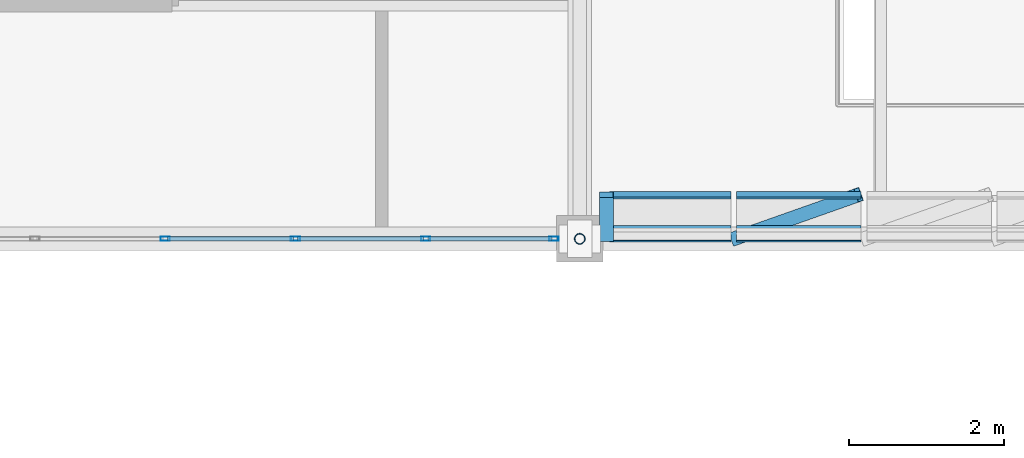
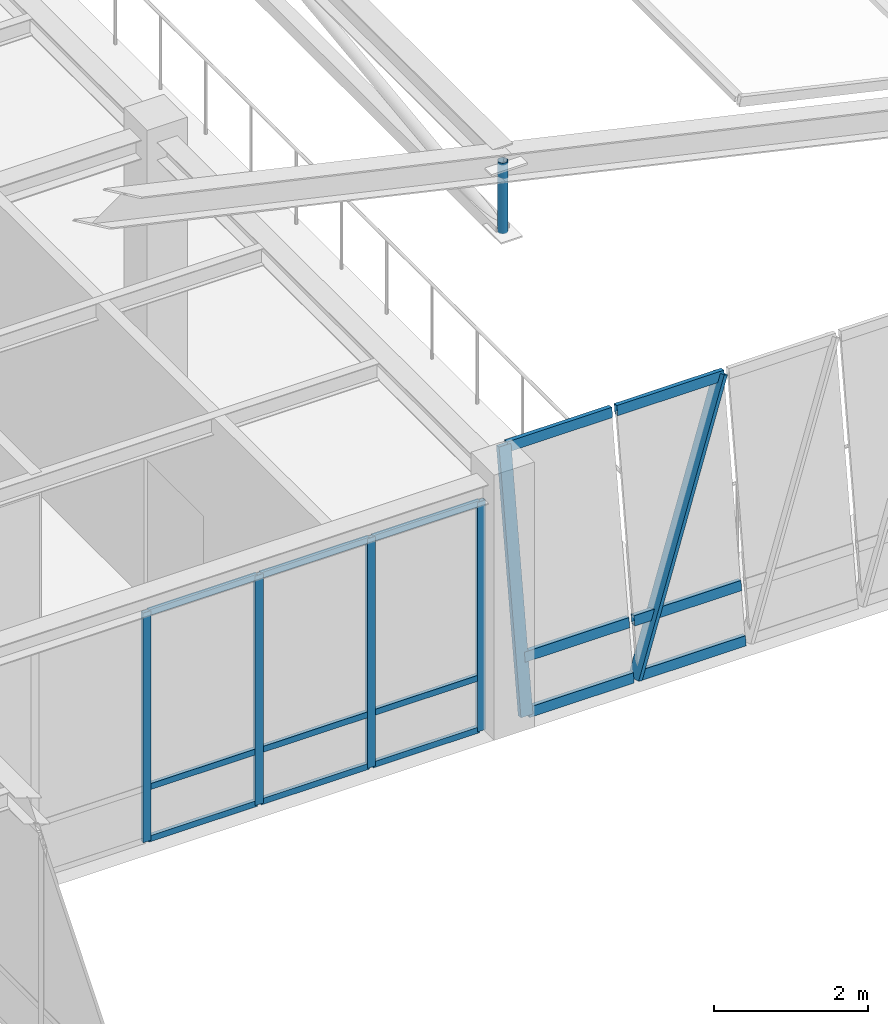
# One storey, part 39 of 130: 22 members, 2 elements without a shape of their own.
"""IFC4 building model written with IfcOpenShell, lengths in metres."""

import ifcopenshell
import ifcopenshell.guid

model = None  # the IFC model being written
_history = None  # IfcOwnerHistory: only IFC2X3 demands one
_inside = {}  # id of a spatial element -> (the spatial element, [elements in it])
_under = {}  # id of a project, library or spatial element -> (it, [spatial elements below it])
_declared = {}  # id of a project -> (the project, [libraries it declares])
_typed = {}  # id of a type object -> (the type object, [elements of that type])
_made_of = {}  # id of a material, layer set ... -> (it, [elements and type objects made of it])


def new_model(schema):
    """Start an empty IFC model of exactly this schema.

    Asked for "IFC4X3", IfcOpenShell would pick the latest addendum, in which some entities
    have other attributes; the version numbers below select the first issue.
    IFC2X3 requires an IfcOwnerHistory on every rooted entity: one is made here for all.
    """
    global model, _history
    if schema == "IFC4X3":
        model = ifcopenshell.file(schema_version=(4, 3, 0, 0))
    else:
        model = ifcopenshell.file(schema=schema)
    _inside.clear()
    _under.clear()
    _declared.clear()
    _typed.clear()
    _made_of.clear()
    _history = None
    if model.schema == "IFC2X3":
        org = make("IfcOrganization", Name="unknown")
        user = make(
            "IfcPersonAndOrganization",
            ThePerson=make("IfcPerson", FamilyName="unknown"),
            TheOrganization=org,
        )
        app = make(
            "IfcApplication",
            ApplicationDeveloper=org,
            Version="unknown",
            ApplicationFullName="unknown",
            ApplicationIdentifier="unknown",
        )
        _history = make(
            "IfcOwnerHistory",
            OwningUser=user,
            OwningApplication=app,
            ChangeAction="ADDED",
            CreationDate=0,
        )
    return model


def make(cls, **values):
    """One entity of the class cls with the attributes given. An attribute that is None is left unset."""
    return model.create_entity(
        cls, **{name: value for name, value in values.items() if value is not None}
    )


def rooted(cls, **values):
    """An entity with a GlobalId (a new one), such as an element, a storey or a relation."""
    return make(cls, GlobalId=ifcopenshell.guid.new(), OwnerHistory=_history, **values)


def si_unit(unit_type, name, prefix=None):
    """IfcSIUnit, for example si_unit("LENGTHUNIT", "METRE", prefix="MILLI")."""
    return make("IfcSIUnit", UnitType=unit_type, Prefix=prefix, Name=name)


def assignment(units):
    """IfcUnitAssignment: the units of a project."""
    return None if units is None else make("IfcUnitAssignment", Units=units)


def point(xyz):
    """IfcCartesianPoint."""
    return None if xyz is None else make("IfcCartesianPoint", Coordinates=xyz)


def direction(xyz):
    """IfcDirection."""
    return None if xyz is None else make("IfcDirection", DirectionRatios=xyz)


def frame(location, z_axis=None, x_axis=None):
    """IfcAxis2Placement3D, a coordinate frame: its origin and axes. An axis left out is left unset."""
    return make(
        "IfcAxis2Placement3D",
        Location=point(location),
        Axis=direction(z_axis),
        RefDirection=direction(x_axis),
    )


def frame_2d(location, x_axis=None):
    """IfcAxis2Placement2D, a coordinate frame in the plane: its origin and x axis."""
    return make(
        "IfcAxis2Placement2D", Location=point(location), RefDirection=direction(x_axis)
    )


def origin():
    """The frame at (0, 0, 0) with its axes left unset."""
    return frame((0.0, 0.0, 0.0))


def origin_2d():
    """The frame at (0, 0) in the plane with its x axis left unset."""
    return frame_2d((0.0, 0.0))


def place(relative_to, where):
    """IfcLocalPlacement: puts the frame where relative to a parent placement (None: the world)."""
    return make(
        "IfcLocalPlacement", PlacementRelTo=relative_to, RelativePlacement=where
    )


def context(
    kind, dimensions, precision=None, world=None, true_north=None, identifier=None
):
    """IfcGeometricRepresentationContext, for example the 3D "Model" context."""
    return make(
        "IfcGeometricRepresentationContext",
        ContextIdentifier=identifier,
        ContextType=kind,
        CoordinateSpaceDimension=dimensions,
        Precision=precision,
        WorldCoordinateSystem=world,
        TrueNorth=true_north,
    )


def subcontext(parent, identifier, kind, view, scale=None):
    """IfcGeometricRepresentationSubContext, for example "Body" below "Model"."""
    return make(
        "IfcGeometricRepresentationSubContext",
        ContextIdentifier=identifier,
        ContextType=kind,
        ParentContext=parent,
        TargetScale=scale,
        TargetView=view,
    )


def project(units=None, contexts=None):
    """IfcProject with its units and contexts."""
    return rooted(
        "IfcProject",
        Name="project",
        RepresentationContexts=contexts,
        UnitsInContext=assignment(units),
    )


def spatial(cls, under=None, at=None, **own):
    """A site, building, storey or space (cls), placed at a placement, below another one or the project."""
    s = rooted(cls, ObjectPlacement=at, **own)
    if under is not None:
        _under.setdefault(under.id(), (under, []))[1].append(s)
    return s


def profile(cls, at=None, kind="AREA", **sizes):
    """A parametric profile (cls). Its sizes go by their IFC names, for example OverallWidth=200.0."""
    return make(cls, ProfileType=kind, Position=at, **sizes)


def hollow_rectangle(**sizes):
    """IfcRectangleHollowProfileDef."""
    return profile("IfcRectangleHollowProfileDef", **sizes)


def hollow_circle(**sizes):
    """IfcCircleHollowProfileDef."""
    return profile("IfcCircleHollowProfileDef", **sizes)


def extrude(swept, where, along, depth):
    """IfcExtrudedAreaSolid: the profile swept, set in the frame where, extruded along a direction by depth."""
    return make(
        "IfcExtrudedAreaSolid",
        SweptArea=swept,
        Position=where,
        ExtrudedDirection=direction(along),
        Depth=depth,
    )


def shape(context_of_items, identifier, shape_type, items):
    """IfcShapeRepresentation: the items that make up one representation, for example the "Body"."""
    return make(
        "IfcShapeRepresentation",
        ContextOfItems=context_of_items,
        RepresentationIdentifier=identifier,
        RepresentationType=shape_type,
        Items=items,
    )


def material(Name=None, Category=None):
    """IfcMaterial."""
    return make("IfcMaterial", Name=Name, Category=Category)


def material_profile(
    of_material, cross_section, Name=None, Category=None, Priority=None
):
    """IfcMaterialProfile: a cross section and its material."""
    return make(
        "IfcMaterialProfile",
        Name=Name,
        Material=of_material,
        Profile=cross_section,
        Priority=Priority,
        Category=Category,
    )


def profile_set(profiles, Name=None, composite=None):
    """IfcMaterialProfileSet."""
    return make(
        "IfcMaterialProfileSet",
        Name=Name,
        MaterialProfiles=profiles,
        CompositeProfile=composite,
    )


def made_of(thing, what):
    """Note that an element or type object is made of a material, layer set ...; save() writes the relation."""
    if what is not None:
        _made_of.setdefault(what.id(), (what, []))[1].append(thing)
    return thing


def type_object(cls, material=None, **own):
    """A type object (cls), such as IfcWallType, which elements share."""
    return made_of(rooted(cls, **own), material)


def element(
    cls,
    number,
    at=None,
    inside=None,
    cuts=None,
    type_object=None,
    material=None,
    context=None,
    identifier="Body",
    shape_type=None,
    held_by="IfcProductDefinitionShape",
    body=None,
    shapes=None,
    **own,
):
    """One element of the class cls, such as IfcWall. Its Tag is "e" and its number.

    at: its placement. inside: the storey or other place that contains it. cuts: it is an
    opening in that element (IfcRelVoidsElement). A single representation is given by context,
    identifier, shape_type and body (its items); several are given by shapes. held_by: the class
    of the entity that holds the representations. save() writes the other relations.
    """
    e = rooted(cls, Tag="e%d" % number, ObjectPlacement=at, **own)
    if body is not None:
        shapes = [shape(context, identifier, shape_type, body)]
    if shapes is not None:
        e.Representation = make(held_by, Representations=shapes)
    if inside is not None:
        _inside.setdefault(inside.id(), (inside, []))[1].append(e)
    if cuts is not None:
        rooted(
            "IfcRelVoidsElement", RelatingBuildingElement=cuts, RelatedOpeningElement=e
        )
    if type_object is not None:
        _typed.setdefault(type_object.id(), (type_object, []))[1].append(e)
    return made_of(e, material)


def aggregate(whole, parts):
    """IfcRelAggregates: a whole, such as a stair, and the parts it consists of."""
    return rooted("IfcRelAggregates", RelatingObject=whole, RelatedObjects=parts)


def save(model, path):
    """Write the relations noted so far, then the file.

    IfcRelAggregates (storeys below a building ...), IfcRelContainedInSpatialStructure (elements
    in a storey), IfcRelDefinesByType, IfcRelAssociatesMaterial and IfcRelDeclares: one each for
    every whole, place, type object, material and project.
    """
    for whole, parts in _under.values():
        aggregate(whole, parts)
    for where, things in _inside.values():
        rooted(
            "IfcRelContainedInSpatialStructure",
            RelatedElements=things,
            RelatingStructure=where,
        )
    for kind, things in _typed.values():
        rooted("IfcRelDefinesByType", RelatedObjects=things, RelatingType=kind)
    for what, things in _made_of.values():
        rooted("IfcRelAssociatesMaterial", RelatedObjects=things, RelatingMaterial=what)
    for by, libraries in _declared.values():
        rooted("IfcRelDeclares", RelatingContext=by, RelatedDefinitions=libraries)
    model.write(path)


model = new_model("IFC4")

# Units and contexts
model_context = context("Model", 3, precision=1e-05, world=origin(), true_north=direction((0.0, 1.0)))
body_context = subcontext(model_context, "Body", "Model", "MODEL_VIEW")
ifc_project = project(units=[si_unit("LENGTHUNIT", "METRE"), si_unit("AREAUNIT", "SQUARE_METRE"), si_unit("VOLUMEUNIT", "CUBIC_METRE"), si_unit("PLANEANGLEUNIT", "RADIAN"), si_unit("MASSUNIT", "GRAM", prefix="KILO")], contexts=[model_context])

# Site, building, storey
site_placement = place(None, origin())
site = spatial("IfcSite", under=ifc_project, at=site_placement, CompositionType="ELEMENT")
building_placement = place(site_placement, origin())
building = spatial("IfcBuilding", under=site, at=building_placement, Name="Lykobir Media Centre", CompositionType="ELEMENT")
storey_placement = place(building_placement, frame((0.0, 0.0, 19.199951171875)))
storey = spatial("IfcBuildingStorey", under=building, at=storey_placement, Name="L04", CompositionType="ELEMENT", Elevation=19.199951171875)

# Member
ifc_material_1 = material(Name="Steel S355", Category="steel")
ifc_material_profile_1 = material_profile(ifc_material_1, hollow_circle(Radius=0.06982421875, WallThickness=0.008056640625, at=origin_2d()), Name="CHS 139.7x8.0")
ifc_profile_set_1 = profile_set([ifc_material_profile_1], Name="Steel S355")
member_type_1 = type_object("IfcMemberType", Name="BR-CHS140", PredefinedType="BRACE", material=ifc_profile_set_1)
member_1_placement = place(storey_placement, frame((45.0, 63.0, 8.900146484375), z_axis=(0.0, 0.0, -1.0), x_axis=(1.0, 0.0, 0.0)))
element("IfcMember", 1, at=member_1_placement, inside=storey, type_object=member_type_1, Name="Diagonal brace MEM2-L04-0450-0630-0281-0450-0630-0446", PredefinedType="BRACE", context=body_context, shape_type="SweptSolid", body=[
    extrude(hollow_circle(Radius=0.06982421875, WallThickness=0.008056640625, at=origin_2d()), origin(), (0.0, 0.0, 1.0), 1.1201171875),
])

# Curtain wall, members
ifc_material_2 = material(Name="Anodized Aluminium AW-6060", Category="aluminium")
curtain_wall_type_1 = type_object("IfcCurtainWallType", Name="CW-COURT-B", PredefinedType="NOTDEFINED", material=ifc_material_2)
curtain_wall_1_placement = place(storey_placement, origin())
curtain_wall_1 = element("IfcCurtainWall", 2, at=curtain_wall_1_placement, inside=storey, type_object=curtain_wall_type_1, Name="Curtain wall CW2-L04-0159", PredefinedType="NOTDEFINED")
ifc_material_profile_2 = material_profile(ifc_material_2, hollow_rectangle(XDim=0.054931640625, YDim=0.1201171875, WallThickness=0.003173828125, at=origin_2d()), Name="ALU MULLION 55x120")
ifc_profile_set_2 = profile_set([ifc_material_profile_2], Name="Anodized Aluminium AW-6060")
member_type_2 = type_object("IfcMemberType", Name="CWM-120", PredefinedType="MULLION", material=ifc_profile_set_2)
member_2_placement = place(storey_placement, frame((44.66748046875, 63.0, 0.0), z_axis=(0.0, 0.0, 1.0), x_axis=(0.0, -1.0, 0.0)))
member_2 = element("IfcMember", 3, at=member_2_placement, type_object=member_type_2, Name="CW2-L04-0159 mullion 1", PredefinedType="MULLION", context=body_context, shape_type="SweptSolid", body=[
    extrude(hollow_rectangle(XDim=0.054931640625, YDim=0.1201171875, WallThickness=0.003173828125, at=origin_2d()), origin(), (0.0, 0.0, 1.0), 3.635009765625),
])
member_3_placement = place(storey_placement, frame((43.01708984375, 63.0, 0.0), z_axis=(0.0, 0.0, 1.0), x_axis=(0.0, -1.0, 0.0)))
member_3 = element("IfcMember", 4, at=member_3_placement, type_object=member_type_2, Name="CW2-L04-0159 mullion 2", PredefinedType="MULLION", context=body_context, shape_type="SweptSolid", body=[
    extrude(hollow_rectangle(XDim=0.054931640625, YDim=0.1201171875, WallThickness=0.003173828125, at=origin_2d()), origin(), (0.0, 0.0, 1.0), 3.635009765625),
])
member_4_placement = place(storey_placement, frame((41.339111328125, 63.0, 0.0), z_axis=(0.0, 0.0, 1.0), x_axis=(0.0, -1.0, 0.0)))
member_4 = element("IfcMember", 5, at=member_4_placement, type_object=member_type_2, Name="CW2-L04-0159 mullion 3", PredefinedType="MULLION", context=body_context, shape_type="SweptSolid", body=[
    extrude(hollow_rectangle(XDim=0.054931640625, YDim=0.1201171875, WallThickness=0.003173828125, at=origin_2d()), origin(), (0.0, 0.0, 1.0), 3.635009765625),
])
member_5_placement = place(storey_placement, frame((39.660888671875, 63.0, 0.0), z_axis=(0.0, 0.0, 1.0), x_axis=(0.0, -1.0, 0.0)))
member_5 = element("IfcMember", 6, at=member_5_placement, type_object=member_type_2, Name="CW2-L04-0159 mullion 4", PredefinedType="MULLION", context=body_context, shape_type="SweptSolid", body=[
    extrude(hollow_rectangle(XDim=0.054931640625, YDim=0.1201171875, WallThickness=0.003173828125, at=origin_2d()), origin(), (0.0, 0.0, 1.0), 3.635009765625),
])

curtain_wall_type_2 = type_object("IfcCurtainWallType", Name="CW-V6-CR4", PredefinedType="NOTDEFINED", material=ifc_material_2)
curtain_wall_2_placement = place(storey_placement, origin())
curtain_wall_2 = element("IfcCurtainWall", 7, at=curtain_wall_2_placement, inside=storey, type_object=curtain_wall_type_2, Name="Curtain wall CW2-L04-0160", PredefinedType="NOTDEFINED")
ifc_material_profile_3 = material_profile(ifc_material_2, hollow_rectangle(XDim=0.074951171875, YDim=0.179931640625, WallThickness=0.00390625, at=origin_2d()), Name="ALU MULLION 75x180")
ifc_profile_set_3 = profile_set([ifc_material_profile_3], Name="Anodized Aluminium AW-6060")
member_type_3 = type_object("IfcMemberType", Name="CWM-180", PredefinedType="MULLION", material=ifc_profile_set_3)
member_6_placement = place(storey_placement, frame((46.98291015625, 63.0, 0.0), z_axis=(0.374628486657, 0.132268649053, 0.917691942573), x_axis=(0.865340676514, 0.305522527865, -0.397292711407)))
member_6 = element("IfcMember", 8, at=member_6_placement, type_object=member_type_3, Name="CW2-L04-0160 mullion 5", PredefinedType="MULLION", context=body_context, shape_type="SweptSolid", body=[
    extrude(hollow_rectangle(XDim=0.074951171875, YDim=0.179931640625, WallThickness=0.00390625, at=origin_2d()), origin(), (0.0, 0.0, 1.0), 4.293212890625),
])
member_7_placement = place(storey_placement, frame((45.342529296875, 63.0, 0.0), z_axis=(0.0, 0.142657694389, 0.989772086003), x_axis=(0.0, 0.989772086003, -0.142657694389)))
member_7 = element("IfcMember", 9, at=member_7_placement, type_object=member_type_3, Name="CW2-L04-0160 mullion 6", PredefinedType="MULLION", context=body_context, shape_type="SweptSolid", body=[
    extrude(hollow_rectangle(XDim=0.074951171875, YDim=0.179931640625, WallThickness=0.00390625, at=origin_2d()), origin(), (0.0, 0.0, 1.0), 3.980712890625),
])

# Member
ifc_material_profile_4 = material_profile(ifc_material_2, hollow_rectangle(XDim=0.054931640625, YDim=0.094970703125, WallThickness=0.0029296875, at=origin_2d()), Name="ALU TRANSOM 55x95")
ifc_profile_set_4 = profile_set([ifc_material_profile_4], Name="Anodized Aluminium AW-6060")
member_type_4 = type_object("IfcMemberType", Name="CWT-095", PredefinedType="USERDEFINED", material=ifc_profile_set_4)
member_8_placement = place(storey_placement, frame((44.639892578125, 63.0, 0.027587890625), z_axis=(-1.0, 0.0, 0.0), x_axis=(0.0, -1.0, 0.0)))
member_8 = element("IfcMember", 10, at=member_8_placement, type_object=member_type_4, Name="CW2-L04-0159 transom 1.1", ObjectType="TRANSOM", PredefinedType="USERDEFINED", context=body_context, shape_type="SweptSolid", body=[
    extrude(hollow_rectangle(XDim=0.054931640625, YDim=0.094970703125, WallThickness=0.0029296875, at=origin_2d()), origin(), (0.0, 0.0, 1.0), 1.595458984375),
])

member_9_placement = place(storey_placement, frame((44.639892578125, 63.0, 0.85009765625), z_axis=(-1.0, 0.0, 0.0), x_axis=(0.0, -1.0, 0.0)))
member_9 = element("IfcMember", 11, at=member_9_placement, type_object=member_type_4, Name="CW2-L04-0159 transom 1.2", ObjectType="TRANSOM", PredefinedType="USERDEFINED", context=body_context, shape_type="SweptSolid", body=[
    extrude(hollow_rectangle(XDim=0.054931640625, YDim=0.094970703125, WallThickness=0.0029296875, at=origin_2d()), origin(), (0.0, 0.0, 1.0), 1.595458984375),
])

member_10_placement = place(storey_placement, frame((44.639892578125, 63.0, 3.607666015625), z_axis=(-1.0, 0.0, 0.0), x_axis=(0.0, -1.0, 0.0)))
member_10 = element("IfcMember", 12, at=member_10_placement, type_object=member_type_4, Name="CW2-L04-0159 transom 1.3", ObjectType="TRANSOM", PredefinedType="USERDEFINED", context=body_context, shape_type="SweptSolid", body=[
    extrude(hollow_rectangle(XDim=0.054931640625, YDim=0.094970703125, WallThickness=0.0029296875, at=origin_2d()), origin(), (0.0, 0.0, 1.0), 1.595458984375),
])

member_11_placement = place(storey_placement, frame((42.989501953125, 63.0, 0.027587890625), z_axis=(-1.0, 0.0, 0.0), x_axis=(0.0, -1.0, 0.0)))
member_11 = element("IfcMember", 13, at=member_11_placement, type_object=member_type_4, Name="CW2-L04-0159 transom 2.1", ObjectType="TRANSOM", PredefinedType="USERDEFINED", context=body_context, shape_type="SweptSolid", body=[
    extrude(hollow_rectangle(XDim=0.054931640625, YDim=0.094970703125, WallThickness=0.0029296875, at=origin_2d()), origin(), (0.0, 0.0, 1.0), 1.623046875),
])

member_12_placement = place(storey_placement, frame((42.989501953125, 63.0, 0.85009765625), z_axis=(-1.0, 0.0, 0.0), x_axis=(0.0, -1.0, 0.0)))
member_12 = element("IfcMember", 14, at=member_12_placement, type_object=member_type_4, Name="CW2-L04-0159 transom 2.2", ObjectType="TRANSOM", PredefinedType="USERDEFINED", context=body_context, shape_type="SweptSolid", body=[
    extrude(hollow_rectangle(XDim=0.054931640625, YDim=0.094970703125, WallThickness=0.0029296875, at=origin_2d()), origin(), (0.0, 0.0, 1.0), 1.623046875),
])

member_13_placement = place(storey_placement, frame((42.989501953125, 63.0, 3.607666015625), z_axis=(-1.0, 0.0, 0.0), x_axis=(0.0, -1.0, 0.0)))
member_13 = element("IfcMember", 15, at=member_13_placement, type_object=member_type_4, Name="CW2-L04-0159 transom 2.3", ObjectType="TRANSOM", PredefinedType="USERDEFINED", context=body_context, shape_type="SweptSolid", body=[
    extrude(hollow_rectangle(XDim=0.054931640625, YDim=0.094970703125, WallThickness=0.0029296875, at=origin_2d()), origin(), (0.0, 0.0, 1.0), 1.623046875),
])

member_14_placement = place(storey_placement, frame((41.3115234375, 63.0, 0.027587890625), z_axis=(-1.0, 0.0, 0.0), x_axis=(0.0, -1.0, 0.0)))
member_14 = element("IfcMember", 16, at=member_14_placement, type_object=member_type_4, Name="CW2-L04-0159 transom 3.1", ObjectType="TRANSOM", PredefinedType="USERDEFINED", context=body_context, shape_type="SweptSolid", body=[
    extrude(hollow_rectangle(XDim=0.054931640625, YDim=0.094970703125, WallThickness=0.0029296875, at=origin_2d()), origin(), (0.0, 0.0, 1.0), 1.623046875),
])

member_15_placement = place(storey_placement, frame((41.3115234375, 63.0, 0.85009765625), z_axis=(-1.0, 0.0, 0.0), x_axis=(0.0, -1.0, 0.0)))
member_15 = element("IfcMember", 17, at=member_15_placement, type_object=member_type_4, Name="CW2-L04-0159 transom 3.2", ObjectType="TRANSOM", PredefinedType="USERDEFINED", context=body_context, shape_type="SweptSolid", body=[
    extrude(hollow_rectangle(XDim=0.054931640625, YDim=0.094970703125, WallThickness=0.0029296875, at=origin_2d()), origin(), (0.0, 0.0, 1.0), 1.623046875),
])

member_16_placement = place(storey_placement, frame((41.3115234375, 63.0, 3.607666015625), z_axis=(-1.0, 0.0, 0.0), x_axis=(0.0, -1.0, 0.0)))
member_16 = element("IfcMember", 18, at=member_16_placement, type_object=member_type_4, Name="CW2-L04-0159 transom 3.3", ObjectType="TRANSOM", PredefinedType="USERDEFINED", context=body_context, shape_type="SweptSolid", body=[
    extrude(hollow_rectangle(XDim=0.054931640625, YDim=0.094970703125, WallThickness=0.0029296875, at=origin_2d()), origin(), (0.0, 0.0, 1.0), 1.623046875),
])

aggregate(curtain_wall_1, [member_2, member_3, member_4, member_5, member_8, member_9, member_10, member_11, member_12, member_13, member_14, member_15, member_16])

ifc_material_profile_5 = material_profile(ifc_material_2, hollow_rectangle(XDim=0.074951171875, YDim=0.14990234375, WallThickness=0.00341796875, at=origin_2d()), Name="ALU TRANSOM 75x150")
ifc_profile_set_5 = profile_set([ifc_material_profile_5], Name="Anodized Aluminium AW-6060")
member_type_5 = type_object("IfcMemberType", Name="CWT-150", PredefinedType="USERDEFINED", material=ifc_profile_set_5)
member_17_placement = place(storey_placement, frame((48.62353515625, 63.00537109375, 0.037109375), z_axis=(-1.0, 0.0, 0.0), x_axis=(0.0, -0.989776230908, 0.142628933706)))
member_17 = element("IfcMember", 19, at=member_17_placement, type_object=member_type_5, Name="CW2-L04-0160 transom 4.1", ObjectType="TRANSOM", PredefinedType="USERDEFINED", context=body_context, shape_type="SweptSolid", body=[
    extrude(hollow_rectangle(XDim=0.074951171875, YDim=0.14990234375, WallThickness=0.00341796875, at=origin_2d()), origin(), (0.0, 0.0, 1.0), 1.60302734375),
])

member_18_placement = place(storey_placement, frame((48.62353515625, 63.12109375, 0.84130859375), z_axis=(-1.0, 0.0, 0.0), x_axis=(0.0, -0.989776230908, 0.142628933706)))
member_18 = element("IfcMember", 20, at=member_18_placement, type_object=member_type_5, Name="CW2-L04-0160 transom 4.2", ObjectType="TRANSOM", PredefinedType="USERDEFINED", context=body_context, shape_type="SweptSolid", body=[
    extrude(hollow_rectangle(XDim=0.074951171875, YDim=0.14990234375, WallThickness=0.00341796875, at=origin_2d()), origin(), (0.0, 0.0, 1.0), 1.60302734375),
])

member_19_placement = place(storey_placement, frame((48.62353515625, 63.5625, 3.90283203125), z_axis=(-1.0, 0.0, 0.0), x_axis=(0.0, -0.989776230908, 0.142628933706)))
member_19 = element("IfcMember", 21, at=member_19_placement, type_object=member_type_5, Name="CW2-L04-0160 transom 4.3", ObjectType="TRANSOM", PredefinedType="USERDEFINED", context=body_context, shape_type="SweptSolid", body=[
    extrude(hollow_rectangle(XDim=0.074951171875, YDim=0.14990234375, WallThickness=0.00341796875, at=origin_2d()), origin(), (0.0, 0.0, 1.0), 1.60302734375),
])

member_20_placement = place(storey_placement, frame((46.945556640625, 63.00537109375, 0.037109375), z_axis=(-1.0, 0.0, 0.0), x_axis=(0.0, -0.989776230908, 0.142628933706)))
member_20 = element("IfcMember", 22, at=member_20_placement, type_object=member_type_5, Name="CW2-L04-0160 transom 5.1", ObjectType="TRANSOM", PredefinedType="USERDEFINED", context=body_context, shape_type="SweptSolid", body=[
    extrude(hollow_rectangle(XDim=0.074951171875, YDim=0.14990234375, WallThickness=0.00341796875, at=origin_2d()), origin(), (0.0, 0.0, 1.0), 1.565673828125),
])

member_21_placement = place(storey_placement, frame((46.945556640625, 63.12109375, 0.84130859375), z_axis=(-1.0, 0.0, 0.0), x_axis=(0.0, -0.989776230908, 0.142628933706)))
member_21 = element("IfcMember", 23, at=member_21_placement, type_object=member_type_5, Name="CW2-L04-0160 transom 5.2", ObjectType="TRANSOM", PredefinedType="USERDEFINED", context=body_context, shape_type="SweptSolid", body=[
    extrude(hollow_rectangle(XDim=0.074951171875, YDim=0.14990234375, WallThickness=0.00341796875, at=origin_2d()), origin(), (0.0, 0.0, 1.0), 1.565673828125),
])

member_22_placement = place(storey_placement, frame((46.945556640625, 63.5625, 3.90283203125), z_axis=(-1.0, 0.0, 0.0), x_axis=(0.0, -0.989776230908, 0.142628933706)))
member_22 = element("IfcMember", 24, at=member_22_placement, type_object=member_type_5, Name="CW2-L04-0160 transom 5.3", ObjectType="TRANSOM", PredefinedType="USERDEFINED", context=body_context, shape_type="SweptSolid", body=[
    extrude(hollow_rectangle(XDim=0.074951171875, YDim=0.14990234375, WallThickness=0.00341796875, at=origin_2d()), origin(), (0.0, 0.0, 1.0), 1.565673828125),
])

aggregate(curtain_wall_2, [member_6, member_7, member_17, member_18, member_19, member_20, member_21, member_22])

save(model, "model.ifc")
